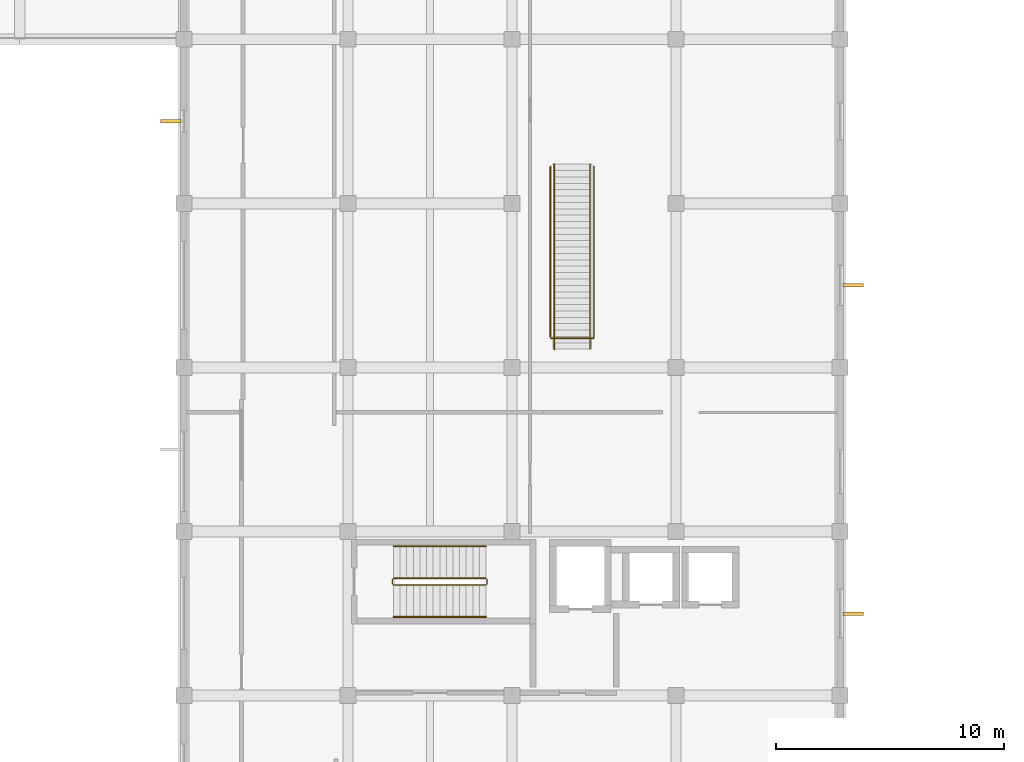
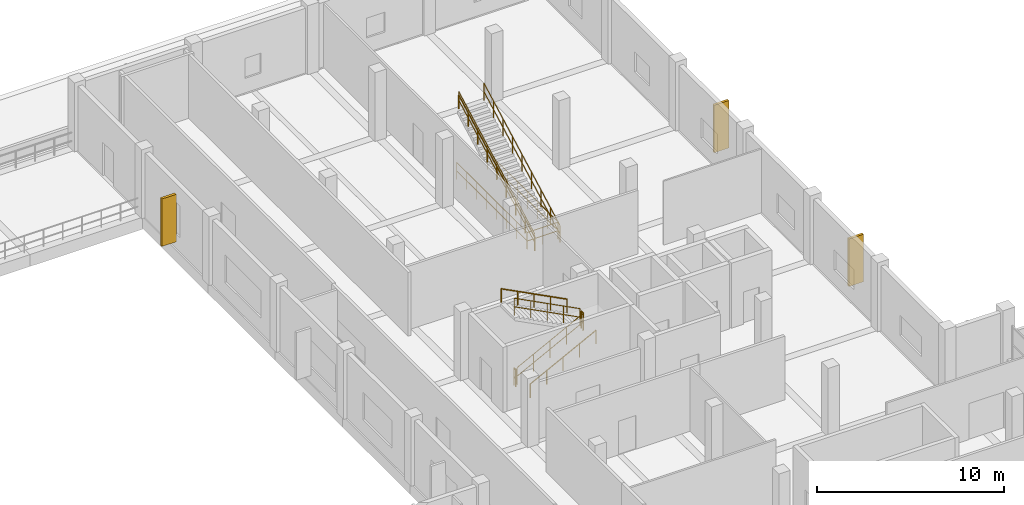
# One storey, part 23 of 24: 12 railings, 3 shading devices.
"""IFC4 building model written with IfcOpenShell, lengths in metres."""

from ifc_helpers import new_model, si_unit, direction, frame, origin, origin_2d, place, context, subcontext, project, spatial, rectangle, circle, extrude, material, type_object, element, save


model = new_model("IFC4")

# Units and contexts
model_context = context("Model", 3, precision=1e-05, world=origin(), true_north=direction((0.0, 1.0)))
body_context = subcontext(model_context, "Body", "Model", "MODEL_VIEW")
ifc_project = project(units=[si_unit("LENGTHUNIT", "METRE"), si_unit("AREAUNIT", "SQUARE_METRE"), si_unit("VOLUMEUNIT", "CUBIC_METRE"), si_unit("PLANEANGLEUNIT", "RADIAN"), si_unit("MASSUNIT", "GRAM", prefix="KILO")], contexts=[model_context])

# Site, building, storey
site_placement = place(None, origin())
site = spatial("IfcSite", under=ifc_project, at=site_placement, CompositionType="ELEMENT")
building_placement = place(site_placement, origin())
building = spatial("IfcBuilding", under=site, at=building_placement, Name="Seraya Terrace Polytechnic", CompositionType="ELEMENT")
storey_placement = place(building_placement, frame((0.0, 0.0, 18.89990234375)))
storey = spatial("IfcBuildingStorey", under=building, at=storey_placement, Name="L04", CompositionType="ELEMENT", Elevation=18.89990234375)

# Shading devices
ifc_material_1 = material(Name="Precast concrete C40/50", Category="concrete")
shading_device_type = type_object("IfcShadingDeviceType", Name="BS-F1", PredefinedType="JALOUSIE", material=ifc_material_1)
for number, where, z_axis, x_axis, name in (
    (1, (78.6298828125, 61.199951171875, 0.449951171875), (0.0, 0.0, 1.0), (-1.0, 0.0, 0.0), "Precast concrete brise-soleil fin L04"),
    (2, (108.570068359375, 54.0, 0.449951171875), (0.0, 0.0, 1.0), (1.0, 0.0, 0.0), "Precast concrete brise-soleil fin L04"),
    (3, (108.570068359375, 39.60009765625, 0.449951171875), (0.0, 0.0, 1.0), (1.0, 0.0, 0.0), "Precast concrete brise-soleil fin L04"),
):
    element("IfcShadingDevice", number, at=place(storey_placement, frame(where, z_axis=z_axis, x_axis=x_axis)), inside=storey, type_object=shading_device_type, Name=name, PredefinedType="JALOUSIE", context=body_context, shape_type="SweptSolid", body=[
        extrude(rectangle(XDim=0.89990234375, YDim=0.14990234375, at=origin_2d()), origin(), (0.0, 0.0, 1.0), 3.10009765625),
    ])

# Railings
ifc_material_2 = material(Name="Steel S355J2", Category="steel")
railing_type_1 = type_object("IfcRailingType", Name="GR-02", PredefinedType="GUARDRAIL", material=ifc_material_2)
railing_1_placement = place(storey_placement, frame((88.39990234375, 40.85009765625, 0.150146484375)))
element("IfcRailing", 4, at=railing_1_placement, inside=storey, type_object=railing_type_1, Name="L04 ST-02 stair guard 1", PredefinedType="GUARDRAIL", context=body_context, shape_type="SweptSolid", body=[
    extrude(circle(Radius=0.02392578125, at=origin_2d()), frame((0.0, 0.0, 1.10595703125), z_axis=(0.888233425583, 0.0, 0.459392404897), x_axis=(0.0, 1.0, 0.0)), (0.0, 0.0, 1.0), 4.571044921875),
    extrude(circle(Radius=0.02392578125, at=origin_2d()), frame((0.0, 0.0, 0.550048828125), z_axis=(0.888233425583, 0.0, 0.459392404897), x_axis=(0.0, 1.0, 0.0)), (0.0, 0.0, 1.0), 4.571044921875),
    extrude(circle(Radius=0.02099609375, at=origin_2d()), origin(), (0.0, 0.0, 1.0), 1.081787109375),
    extrude(circle(Radius=0.02099609375, at=origin_2d()), frame((1.01513671875, 0.0, 0.52490234375)), (0.0, 0.0, 1.0), 1.081787109375),
    extrude(circle(Radius=0.02099609375, at=origin_2d()), frame((2.030029296875, 0.0, 1.0498046875)), (0.0, 0.0, 1.0), 1.081787109375),
    extrude(circle(Radius=0.02099609375, at=origin_2d()), frame((3.044921875, 0.0, 1.574951171875)), (0.0, 0.0, 1.0), 1.081787109375),
    extrude(circle(Radius=0.02099609375, at=origin_2d()), frame((4.06005859375, 0.0, 2.099853515625)), (0.0, 0.0, 1.0), 1.081787109375),
])
railing_2_placement = place(storey_placement, frame((92.510009765625, 40.89990234375, 2.25)))
element("IfcRailing", 5, at=railing_2_placement, inside=storey, type_object=railing_type_1, Name="L04 ST-02 stair guard 2", PredefinedType="GUARDRAIL", context=body_context, shape_type="SweptSolid", body=[
    extrude(circle(Radius=0.02392578125, at=origin_2d()), frame((0.0, 0.0, 1.10595703125), z_axis=(0.0, 1.0, 0.0), x_axis=(-1.0, 0.0, 0.0)), (0.0, 0.0, 1.0), 0.2001953125),
    extrude(circle(Radius=0.02392578125, at=origin_2d()), frame((0.0, 0.0, 0.550048828125), z_axis=(0.0, 1.0, 0.0), x_axis=(-1.0, 0.0, 0.0)), (0.0, 0.0, 1.0), 0.2001953125),
    extrude(circle(Radius=0.02099609375, at=origin_2d()), origin(), (0.0, 0.0, 1.0), 1.081787109375),
    extrude(circle(Radius=0.02099609375, at=origin_2d()), frame((0.0, 0.2001953125, 0.0)), (0.0, 0.0, 1.0), 1.081787109375),
])
railing_3_placement = place(storey_placement, frame((92.4599609375, 41.14990234375, 2.400146484375)))
element("IfcRailing", 6, at=railing_3_placement, inside=storey, type_object=railing_type_1, Name="L04 ST-02 stair guard 3", PredefinedType="GUARDRAIL", context=body_context, shape_type="SweptSolid", body=[
    extrude(circle(Radius=0.02392578125, at=origin_2d()), frame((0.0, 0.0, 1.10595703125), z_axis=(-0.888233425583, 0.0, 0.459392404897), x_axis=(0.0, -1.0, 0.0)), (0.0, 0.0, 1.0), 4.571044921875),
    extrude(circle(Radius=0.02392578125, at=origin_2d()), frame((0.0, 0.0, 0.550048828125), z_axis=(-0.888233425583, 0.0, 0.459392404897), x_axis=(0.0, -1.0, 0.0)), (0.0, 0.0, 1.0), 4.571044921875),
    extrude(circle(Radius=0.02099609375, at=origin_2d()), origin(), (0.0, 0.0, 1.0), 1.081787109375),
    extrude(circle(Radius=0.02099609375, at=origin_2d()), frame((-1.01513671875, 0.0, 0.52490234375)), (0.0, 0.0, 1.0), 1.081787109375),
    extrude(circle(Radius=0.02099609375, at=origin_2d()), frame((-2.030029296875, 0.0, 1.0498046875)), (0.0, 0.0, 1.0), 1.081787109375),
    extrude(circle(Radius=0.02099609375, at=origin_2d()), frame((-3.044921875, 0.0, 1.574951171875)), (0.0, 0.0, 1.0), 1.081787109375),
    extrude(circle(Radius=0.02099609375, at=origin_2d()), frame((-4.06005859375, 0.0, 2.099853515625)), (0.0, 0.0, 1.0), 1.081787109375),
])
railing_4_placement = place(storey_placement, frame((88.35009765625, 40.89990234375, 0.0)))
element("IfcRailing", 7, at=railing_4_placement, inside=storey, type_object=railing_type_1, Name="L04 ST-02 stair guard 4", PredefinedType="GUARDRAIL", context=body_context, shape_type="SweptSolid", body=[
    extrude(circle(Radius=0.02392578125, at=origin_2d()), frame((0.0, 0.0, 1.10595703125), z_axis=(0.0, 1.0, 0.0), x_axis=(-1.0, 0.0, 0.0)), (0.0, 0.0, 1.0), 0.2001953125),
    extrude(circle(Radius=0.02392578125, at=origin_2d()), frame((0.0, 0.0, 0.550048828125), z_axis=(0.0, 1.0, 0.0), x_axis=(-1.0, 0.0, 0.0)), (0.0, 0.0, 1.0), 0.2001953125),
    extrude(circle(Radius=0.02099609375, at=origin_2d()), origin(), (0.0, 0.0, 1.0), 1.081787109375),
    extrude(circle(Radius=0.02099609375, at=origin_2d()), frame((0.0, 0.2001953125, 0.0)), (0.0, 0.0, 1.0), 1.081787109375),
])
railing_5_placement = place(storey_placement, frame((95.280029296875, 51.679931640625, 0.0)))
element("IfcRailing", 8, at=railing_5_placement, inside=storey, type_object=railing_type_1, Name="ST-16 top opening guard L04.1", PredefinedType="GUARDRAIL", context=body_context, shape_type="SweptSolid", body=[
    extrude(circle(Radius=0.02392578125, at=origin_2d()), frame((0.0, 0.0, 1.10595703125), z_axis=(1.0, 0.0, 0.0), x_axis=(0.0, 1.0, 0.0)), (0.0, 0.0, 1.0), 1.919921875),
    extrude(circle(Radius=0.02392578125, at=origin_2d()), frame((0.0, 0.0, 0.550048828125), z_axis=(1.0, 0.0, 0.0), x_axis=(0.0, 1.0, 0.0)), (0.0, 0.0, 1.0), 1.919921875),
    extrude(circle(Radius=0.02099609375, at=origin_2d()), origin(), (0.0, 0.0, 1.0), 1.081787109375),
    extrude(circle(Radius=0.02099609375, at=origin_2d()), frame((0.9599609375, 0.0, 0.0)), (0.0, 0.0, 1.0), 1.081787109375),
    extrude(circle(Radius=0.02099609375, at=origin_2d()), frame((1.919921875, 0.0, 0.0)), (0.0, 0.0, 1.0), 1.081787109375),
])
for number, where, name in (
    (9, (95.280029296875, 51.739990234375, 0.0), "ST-16 top opening guard L04.2"),
    (10, (97.199951171875, 51.739990234375, 0.0), "ST-16 top opening guard L04.3"),
):
    element("IfcRailing", number, at=place(storey_placement, frame(where)), inside=storey, type_object=railing_type_1, Name=name, PredefinedType="GUARDRAIL", context=body_context, shape_type="SweptSolid", body=[
        extrude(circle(Radius=0.02392578125, at=origin_2d()), frame((0.0, 0.0, 1.10595703125), z_axis=(0.0, 1.0, 0.0), x_axis=(-1.0, 0.0, 0.0)), (0.0, 0.0, 1.0), 7.47998046875),
        extrude(circle(Radius=0.02392578125, at=origin_2d()), frame((0.0, 0.0, 0.550048828125), z_axis=(0.0, 1.0, 0.0), x_axis=(-1.0, 0.0, 0.0)), (0.0, 0.0, 1.0), 7.47998046875),
        extrude(circle(Radius=0.02099609375, at=origin_2d()), origin(), (0.0, 0.0, 1.0), 1.081787109375),
        extrude(circle(Radius=0.02099609375, at=origin_2d()), frame((0.0, 1.068603515625, 0.0)), (0.0, 0.0, 1.0), 1.081787109375),
        extrude(circle(Radius=0.02099609375, at=origin_2d()), frame((0.0, 2.13720703125, 0.0)), (0.0, 0.0, 1.0), 1.081787109375),
        extrude(circle(Radius=0.02099609375, at=origin_2d()), frame((0.0, 3.205810546875, 0.0)), (0.0, 0.0, 1.0), 1.081787109375),
        extrude(circle(Radius=0.02099609375, at=origin_2d()), frame((0.0, 4.274169921875, 0.0)), (0.0, 0.0, 1.0), 1.081787109375),
        extrude(circle(Radius=0.02099609375, at=origin_2d()), frame((0.0, 5.3427734375, 0.0)), (0.0, 0.0, 1.0), 1.081787109375),
        extrude(circle(Radius=0.02099609375, at=origin_2d()), frame((0.0, 6.411376953125, 0.0)), (0.0, 0.0, 1.0), 1.081787109375),
        extrude(circle(Radius=0.02099609375, at=origin_2d()), frame((0.0, 7.47998046875, 0.0)), (0.0, 0.0, 1.0), 1.081787109375),
    ])
for number, where, name in (
    (11, (97.02001953125, 51.199951171875, 0.150146484375), "ST-16 flight guard L04"),
    (12, (95.4599609375, 51.199951171875, 0.150146484375), "ST-16 flight outer guard L04"),
):
    element("IfcRailing", number, at=place(storey_placement, frame(where)), inside=storey, type_object=railing_type_1, Name=name, PredefinedType="GUARDRAIL", context=body_context, shape_type="SweptSolid", body=[
        extrude(circle(Radius=0.02392578125, at=origin_2d()), frame((0.0, 0.0, 1.10595703125), z_axis=(0.0, 0.881489425824, 0.472203761272), x_axis=(-1.0, 0.0, 0.0)), (0.0, 0.0, 1.0), 9.2119140625),
        extrude(circle(Radius=0.02392578125, at=origin_2d()), frame((0.0, 0.0, 0.550048828125), z_axis=(0.0, 0.881489425824, 0.472203761272), x_axis=(-1.0, 0.0, 0.0)), (0.0, 0.0, 1.0), 9.2119140625),
        extrude(circle(Radius=0.02099609375, at=origin_2d()), origin(), (0.0, 0.0, 1.0), 1.081787109375),
        extrude(circle(Radius=0.02099609375, at=origin_2d()), frame((0.0, 1.01513671875, 0.543701171875)), (0.0, 0.0, 1.0), 1.081787109375),
        extrude(circle(Radius=0.02099609375, at=origin_2d()), frame((0.0, 2.030029296875, 1.08740234375)), (0.0, 0.0, 1.0), 1.081787109375),
        extrude(circle(Radius=0.02099609375, at=origin_2d()), frame((0.0, 3.044921875, 1.631103515625)), (0.0, 0.0, 1.0), 1.081787109375),
        extrude(circle(Radius=0.02099609375, at=origin_2d()), frame((0.0, 4.06005859375, 2.1748046875)), (0.0, 0.0, 1.0), 1.081787109375),
        extrude(circle(Radius=0.02099609375, at=origin_2d()), frame((0.0, 5.0751953125, 2.71875)), (0.0, 0.0, 1.0), 1.081787109375),
        extrude(circle(Radius=0.02099609375, at=origin_2d()), frame((0.0, 6.090087890625, 3.262451171875)), (0.0, 0.0, 1.0), 1.081787109375),
        extrude(circle(Radius=0.02099609375, at=origin_2d()), frame((0.0, 7.10498046875, 3.80615234375)), (0.0, 0.0, 1.0), 1.081787109375),
        extrude(circle(Radius=0.02099609375, at=origin_2d()), frame((0.0, 8.1201171875, 4.349853515625)), (0.0, 0.0, 1.0), 1.081787109375),
    ])
railing_type_2 = type_object("IfcRailingType", Name="HR-01", PredefinedType="HANDRAIL", material=ifc_material_2)
railing_6_placement = place(storey_placement, frame((88.39990234375, 39.449951171875, 0.150146484375)))
element("IfcRailing", 13, at=railing_6_placement, inside=storey, type_object=railing_type_2, Name="L04 ST-02 stair handrail 1", PredefinedType="HANDRAIL", context=body_context, shape_type="SweptSolid", body=[
    extrude(circle(Radius=0.02392578125, at=origin_2d()), frame((0.0, 0.0, 0.8759765625), z_axis=(0.888233425583, 0.0, 0.459392404897), x_axis=(0.0, 1.0, 0.0)), (0.0, 0.0, 1.0), 4.571044921875),
    extrude(circle(Radius=0.02099609375, at=origin_2d()), origin(), (0.0, 0.0, 1.0), 0.851806640625),
    extrude(circle(Radius=0.02099609375, at=origin_2d()), frame((1.01513671875, 0.0, 0.52490234375)), (0.0, 0.0, 1.0), 0.851806640625),
    extrude(circle(Radius=0.02099609375, at=origin_2d()), frame((2.030029296875, 0.0, 1.0498046875)), (0.0, 0.0, 1.0), 0.851806640625),
    extrude(circle(Radius=0.02099609375, at=origin_2d()), frame((3.044921875, 0.0, 1.574951171875)), (0.0, 0.0, 1.0), 0.851806640625),
    extrude(circle(Radius=0.02099609375, at=origin_2d()), frame((4.06005859375, 0.0, 2.099853515625)), (0.0, 0.0, 1.0), 0.851806640625),
])
railing_7_placement = place(storey_placement, frame((92.4599609375, 42.550048828125, 2.400146484375)))
element("IfcRailing", 14, at=railing_7_placement, inside=storey, type_object=railing_type_2, Name="L04 ST-02 stair handrail 2", PredefinedType="HANDRAIL", context=body_context, shape_type="SweptSolid", body=[
    extrude(circle(Radius=0.02392578125, at=origin_2d()), frame((0.0, 0.0, 0.8759765625), z_axis=(-0.888233425583, 0.0, 0.459392404897), x_axis=(0.0, -1.0, 0.0)), (0.0, 0.0, 1.0), 4.571044921875),
    extrude(circle(Radius=0.02099609375, at=origin_2d()), origin(), (0.0, 0.0, 1.0), 0.851806640625),
    extrude(circle(Radius=0.02099609375, at=origin_2d()), frame((-1.01513671875, 0.0, 0.52490234375)), (0.0, 0.0, 1.0), 0.851806640625),
    extrude(circle(Radius=0.02099609375, at=origin_2d()), frame((-2.030029296875, 0.0, 1.0498046875)), (0.0, 0.0, 1.0), 0.851806640625),
    extrude(circle(Radius=0.02099609375, at=origin_2d()), frame((-3.044921875, 0.0, 1.574951171875)), (0.0, 0.0, 1.0), 0.851806640625),
    extrude(circle(Radius=0.02099609375, at=origin_2d()), frame((-4.06005859375, 0.0, 2.099853515625)), (0.0, 0.0, 1.0), 0.851806640625),
])
railing_8_placement = place(storey_placement, frame((95.4599609375, 51.199951171875, 0.150146484375)))
element("IfcRailing", 15, at=railing_8_placement, inside=storey, type_object=railing_type_2, Name="ST-16 handrail L04", PredefinedType="HANDRAIL", context=body_context, shape_type="SweptSolid", body=[
    extrude(circle(Radius=0.02392578125, at=origin_2d()), frame((0.0, 0.0, 0.8759765625), z_axis=(0.0, 0.881489425824, 0.472203761272), x_axis=(-1.0, 0.0, 0.0)), (0.0, 0.0, 1.0), 9.2119140625),
    extrude(circle(Radius=0.02099609375, at=origin_2d()), origin(), (0.0, 0.0, 1.0), 0.851806640625),
    extrude(circle(Radius=0.02099609375, at=origin_2d()), frame((0.0, 1.01513671875, 0.543701171875)), (0.0, 0.0, 1.0), 0.851806640625),
    extrude(circle(Radius=0.02099609375, at=origin_2d()), frame((0.0, 2.030029296875, 1.08740234375)), (0.0, 0.0, 1.0), 0.851806640625),
    extrude(circle(Radius=0.02099609375, at=origin_2d()), frame((0.0, 3.044921875, 1.631103515625)), (0.0, 0.0, 1.0), 0.851806640625),
    extrude(circle(Radius=0.02099609375, at=origin_2d()), frame((0.0, 4.06005859375, 2.1748046875)), (0.0, 0.0, 1.0), 0.851806640625),
    extrude(circle(Radius=0.02099609375, at=origin_2d()), frame((0.0, 5.0751953125, 2.71875)), (0.0, 0.0, 1.0), 0.851806640625),
    extrude(circle(Radius=0.02099609375, at=origin_2d()), frame((0.0, 6.090087890625, 3.262451171875)), (0.0, 0.0, 1.0), 0.851806640625),
    extrude(circle(Radius=0.02099609375, at=origin_2d()), frame((0.0, 7.10498046875, 3.80615234375)), (0.0, 0.0, 1.0), 0.851806640625),
    extrude(circle(Radius=0.02099609375, at=origin_2d()), frame((0.0, 8.1201171875, 4.349853515625)), (0.0, 0.0, 1.0), 0.851806640625),
])

save(model, "model.ifc")
